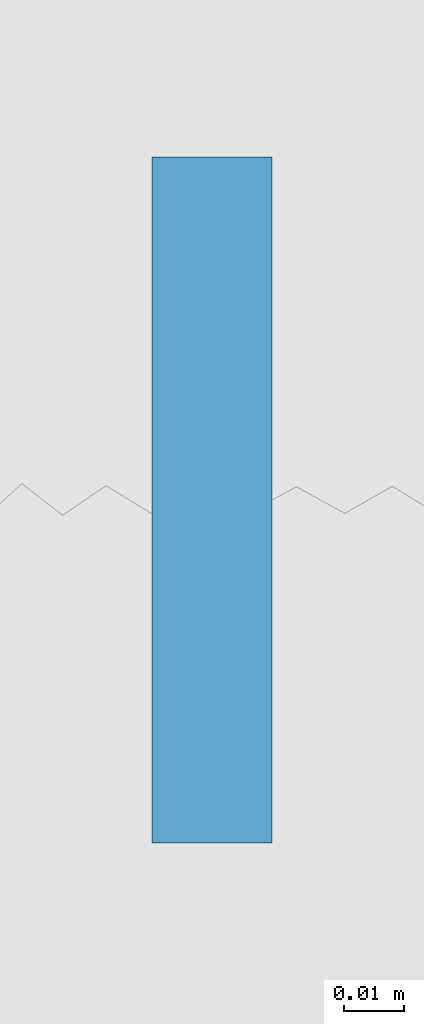
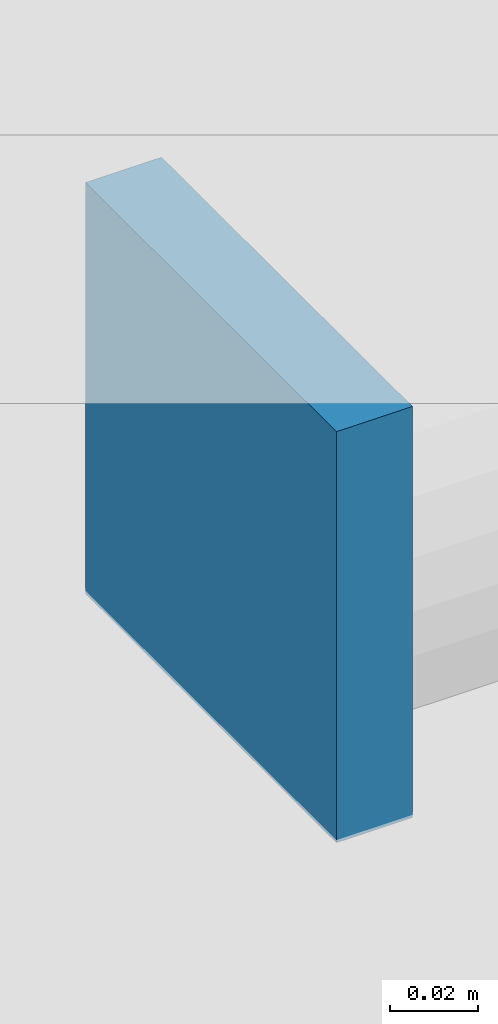
# One storey, part 38 of 50: 1 plate.
"""IFC4 building model written with IfcOpenShell, lengths in metres."""

from ifc_helpers import new_model, si_unit, direction, frame, origin, origin_2d, place, context, subcontext, project, spatial, rectangle, extrude, material, layer, layer_set, type_object, element, save


model = new_model("IFC4")

# Units and contexts
model_context = context("Model", 3, precision=1e-05, world=origin(), true_north=direction((0.0, 1.0)))
body_context = subcontext(model_context, "Body", "Model", "MODEL_VIEW")
ifc_project = project(units=[si_unit("LENGTHUNIT", "METRE"), si_unit("AREAUNIT", "SQUARE_METRE"), si_unit("VOLUMEUNIT", "CUBIC_METRE"), si_unit("PLANEANGLEUNIT", "RADIAN"), si_unit("MASSUNIT", "GRAM", prefix="KILO")], contexts=[model_context])

# Site, building, storey
site_placement = place(None, origin())
site = spatial("IfcSite", under=ifc_project, at=site_placement, CompositionType="ELEMENT")
building_placement = place(site_placement, origin())
building = spatial("IfcBuilding", under=site, at=building_placement, Name="Varnela Railside Interchange", CompositionType="ELEMENT")
storey_placement = place(building_placement, frame((0.0, 0.0, 15.39990234375)))
storey = spatial("IfcBuildingStorey", under=building, at=storey_placement, Name="L03", CompositionType="ELEMENT", Elevation=15.39990234375)

# Plate
ifc_material = material(Name="Steel AR 350 (350 MPa)", Category="steel")
ifc_layer = layer(ifc_material, 0.1142578125)
ifc_layer_set = layer_set([ifc_layer], Name="Steel AR 350 (350 MPa)")
plate_type = type_object("IfcPlateType", Name="Cable End Cap Plate EP-01", PredefinedType="SHEET", material=ifc_layer_set)
plate_placement = place(storey_placement, frame((59.989990234375, 50.0, 1.79296875), z_axis=(0.0, 0.0, 1.0), x_axis=(0.0, 1.0, 0.0)))
element("IfcPlate", 1, at=plate_placement, inside=storey, type_object=plate_type, Name="Cable End Cap Plate EP-01 (L03) (PL-030)", PredefinedType="SHEET", context=body_context, shape_type="SweptSolid", body=[
    extrude(rectangle(XDim=0.1142578125, YDim=0.02001953125, at=origin_2d()), origin(), (0.0, 0.0, 1.0), 0.1142578125),
])

save(model, "model.ifc")
